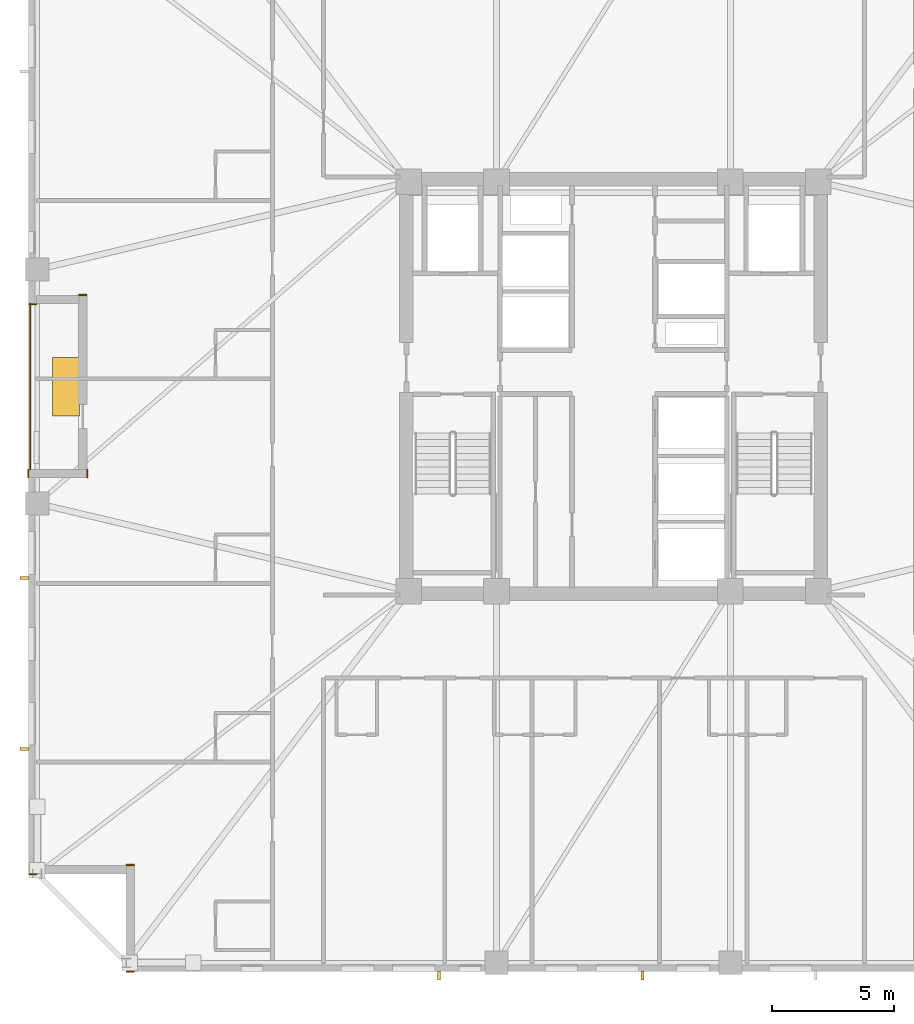
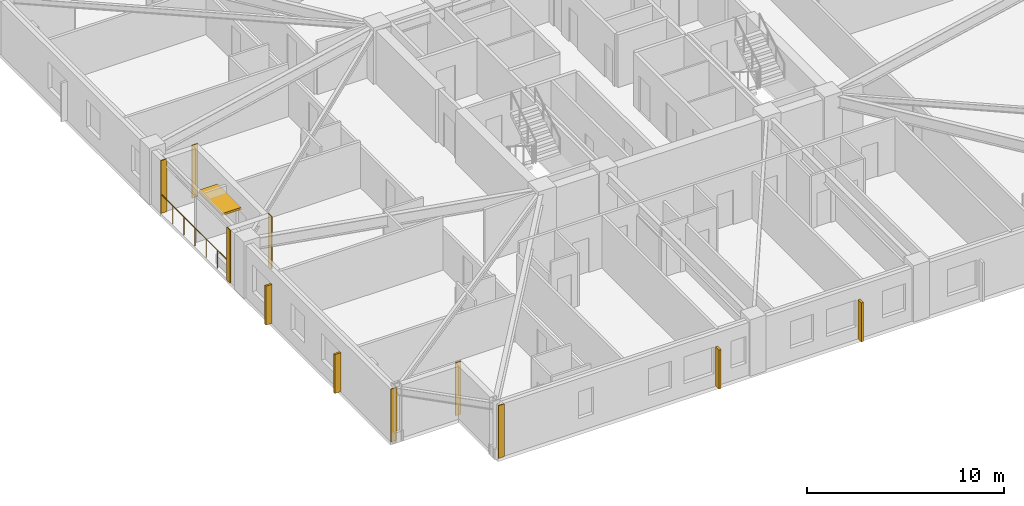
# One storey, part 7 of 11: 7 coverings, 5 shading devices, 1 railing.
"""IFC4 building model written with IfcOpenShell, lengths in metres."""

from ifc_helpers import new_model, si_unit, direction, frame, frame_2d, origin, origin_2d, place, context, subcontext, project, spatial, rectangle, circle, extrude, material, layer, layer_set, type_object, element, save


model = new_model("IFC4")

# Units and contexts
model_context = context("Model", 3, precision=1e-05, world=origin(), true_north=direction((0.0, 1.0)))
body_context = subcontext(model_context, "Body", "Model", "MODEL_VIEW")
ifc_project = project(units=[si_unit("LENGTHUNIT", "METRE"), si_unit("AREAUNIT", "SQUARE_METRE"), si_unit("VOLUMEUNIT", "CUBIC_METRE"), si_unit("PLANEANGLEUNIT", "RADIAN"), si_unit("MASSUNIT", "GRAM", prefix="KILO")], contexts=[model_context])

# Site, building, storey
site_placement = place(None, origin())
site = spatial("IfcSite", under=ifc_project, at=site_placement, CompositionType="ELEMENT")
building_placement = place(site_placement, origin())
building = spatial("IfcBuilding", under=site, at=building_placement, Name="Cairnveth Concourse Tower", CompositionType="ELEMENT")
storey_placement = place(building_placement, frame((0.0, 0.0, 123.5)))
storey = spatial("IfcBuildingStorey", under=building, at=storey_placement, Name="L33", CompositionType="ELEMENT", Elevation=123.5)

# Coverings
ifc_material_1 = material(Name="Dressed Melbourne Bluestone Cladding", Category="masonry")
ifc_layer = layer(ifc_material_1, 0.050048828125)
ifc_layer_set = layer_set([ifc_layer], Name="Dressed Melbourne Bluestone Cladding")
covering_type = type_object("IfcCoveringType", Name="DRESSED BLUESTONE PLINTH CLADDING 50", PredefinedType="CLADDING", material=ifc_layer_set)
for number, where, z_axis, x_axis, name in (
    (1, (28.340087890625, 42.3798828125, 0.0), (0.0, 0.0, 1.0), (-1.0, 0.0, 0.0), "Melbourne Bluestone Corner Quoin L33-467"),
    (2, (32.340087890625, 14.97998046875, 0.0), (0.0, 0.0, 1.0), (-1.0, 0.0, 0.0), "Melbourne Bluestone Corner Quoin L33-477"),
    (3, (32.340087890625, 19.360107421875, 0.0), (0.0, 0.0, 1.0), (-1.0, 0.0, 0.0), "Melbourne Bluestone Corner Quoin L33-478"),
    (4, (28.340087890625, 18.97998046875, 0.0), (0.0, 0.0, 1.0), (-1.0, 0.0, 0.0), "Melbourne Bluestone Corner Quoin L33-479"),
    (5, (27.97998046875, 35.260009765625, 0.0), (0.0, 0.0, 1.0), (0.0, 1.0, 0.0), "Melbourne Bluestone Corner Quoin L33-480"),
    (6, (30.409912109375, 35.260009765625, 0.0), (0.0, 0.0, 1.0), (0.0, 1.0, 0.0), "Melbourne Bluestone Corner Quoin L33-481"),
):
    element("IfcCovering", number, at=place(storey_placement, frame(where, z_axis=z_axis, x_axis=x_axis)), inside=storey, type_object=covering_type, Name=name, PredefinedType="CLADDING", context=body_context, shape_type="SweptSolid", body=[
        extrude(rectangle(XDim=0.340087890625, YDim=0.050048828125, at=frame_2d((0.169921875, 0.0))), origin(), (0.0, 0.0, 1.0), 3.280029296875),
    ])
covering_placement = place(storey_placement, frame((30.389892578125, 42.760009765625, 0.0), z_axis=(0.0, 0.0, 1.0), x_axis=(-1.0, 0.0, 0.0)))
element("IfcCovering", 7, at=covering_placement, inside=storey, type_object=covering_type, Name="Melbourne Bluestone Corner Quoin L33-482", PredefinedType="CLADDING", context=body_context, shape_type="SweptSolid", body=[
    extrude(rectangle(XDim=0.33984375, YDim=0.050048828125, at=frame_2d((0.169921875, 0.0))), origin(), (0.0, 0.0, 1.0), 3.280029296875),
])

# Shading devices
ifc_material_2 = material(Name="Architectural Bronze Anodised Aluminium 6063-T6", Category="aluminium")
shading_device_type_1 = type_object("IfcShadingDeviceType", Name="GOTHIC BRONZE VERTICAL LANCET FIN", PredefinedType="USERDEFINED", material=ifc_material_2)
for number, where, z_axis, x_axis, name in (
    (8, (53.194091796875, 14.824951171875, 0.030029296875), (0.0, 0.0, 1.0), (1.0, 0.0, 0.0), "Gothic Bronze Vertical Fin L33-9-5"),
    (9, (44.8369140625, 14.824951171875, 0.030029296875), (0.0, 0.0, 1.0), (1.0, 0.0, 0.0), "Gothic Bronze Vertical Fin L33-9-7"),
    (10, (27.824951171875, 24.128662109375, 0.030029296875), (0.0, 0.0, 1.0), (0.0, 1.0, 0.0), "Gothic Bronze Vertical Fin L33-12-1"),
    (11, (27.824951171875, 31.13330078125, 0.030029296875), (0.0, 0.0, 1.0), (0.0, 1.0, 0.0), "Gothic Bronze Vertical Fin L33-12-3"),
):
    element("IfcShadingDevice", number, at=place(storey_placement, frame(where, z_axis=z_axis, x_axis=x_axis)), inside=storey, type_object=shading_device_type_1, Name=name, ObjectType="VERTICAL FIN", PredefinedType="USERDEFINED", context=body_context, shape_type="SweptSolid", body=[
        extrude(rectangle(XDim=0.1201171875, YDim=0.360107421875, at=origin_2d()), origin(), (0.0, 0.0, 1.0), 2.419921875),
    ])
shading_device_type_2 = type_object("IfcShadingDeviceType", Name="SPIRAL TERRACE SUNSHADE CANOPY", PredefinedType="USERDEFINED", material=ifc_material_2)
shading_device_placement = place(storey_placement, frame((29.530029296875, 39.0, 2.300048828125), z_axis=(0.0, 0.0, 1.0), x_axis=(1.0, 0.0, 0.0)))
element("IfcShadingDevice", 12, at=shading_device_placement, inside=storey, type_object=shading_device_type_2, Name="Spiral Terrace Sunshade L33", ObjectType="TERRACE SUNSHADE", PredefinedType="USERDEFINED", context=body_context, shape_type="SweptSolid", body=[
    extrude(rectangle(XDim=1.10009765625, YDim=2.39990234375, at=origin_2d()), origin(), (0.0, 0.0, 1.0), 0.1201171875),
])

# Railing
railing_type = type_object("IfcRailingType", Name="TERRACE BRONZE BALUSTRADE 1150", PredefinedType="BALUSTRADE", material=ifc_material_2)
railing_placement = place(storey_placement, frame((28.06005859375, 35.60009765625, 0.0)))
element("IfcRailing", 13, at=railing_placement, inside=storey, type_object=railing_type, Name="Terrace Balustrade RL-L33-TERR", PredefinedType="BALUSTRADE", context=body_context, shape_type="SweptSolid", body=[
    extrude(circle(Radius=0.02490234375, at=origin_2d()), frame((0.0, 0.0, 1.125), z_axis=(0.0, 1.0, 0.0), x_axis=(-1.0, 0.0, 0.0)), (0.0, 0.0, 1.0), 6.7998046875),
    extrude(circle(Radius=0.02099609375, at=origin_2d()), origin(), (0.0, 0.0, 1.0), 1.099853515625),
    extrude(circle(Radius=0.02099609375, at=origin_2d()), frame((0.0, 1.13330078125, 0.0)), (0.0, 0.0, 1.0), 1.099853515625),
    extrude(circle(Radius=0.02099609375, at=origin_2d()), frame((0.0, 2.2666015625, 0.0)), (0.0, 0.0, 1.0), 1.099853515625),
    extrude(circle(Radius=0.02099609375, at=origin_2d()), frame((0.0, 3.39990234375, 0.0)), (0.0, 0.0, 1.0), 1.099853515625),
    extrude(circle(Radius=0.02099609375, at=origin_2d()), frame((0.0, 4.533203125, 0.0)), (0.0, 0.0, 1.0), 1.099853515625),
    extrude(circle(Radius=0.02099609375, at=origin_2d()), frame((0.0, 5.66650390625, 0.0)), (0.0, 0.0, 1.0), 1.099853515625),
    extrude(circle(Radius=0.02099609375, at=origin_2d()), frame((0.0, 6.7998046875, 0.0)), (0.0, 0.0, 1.0), 1.099853515625),
])

save(model, "model.ifc")
